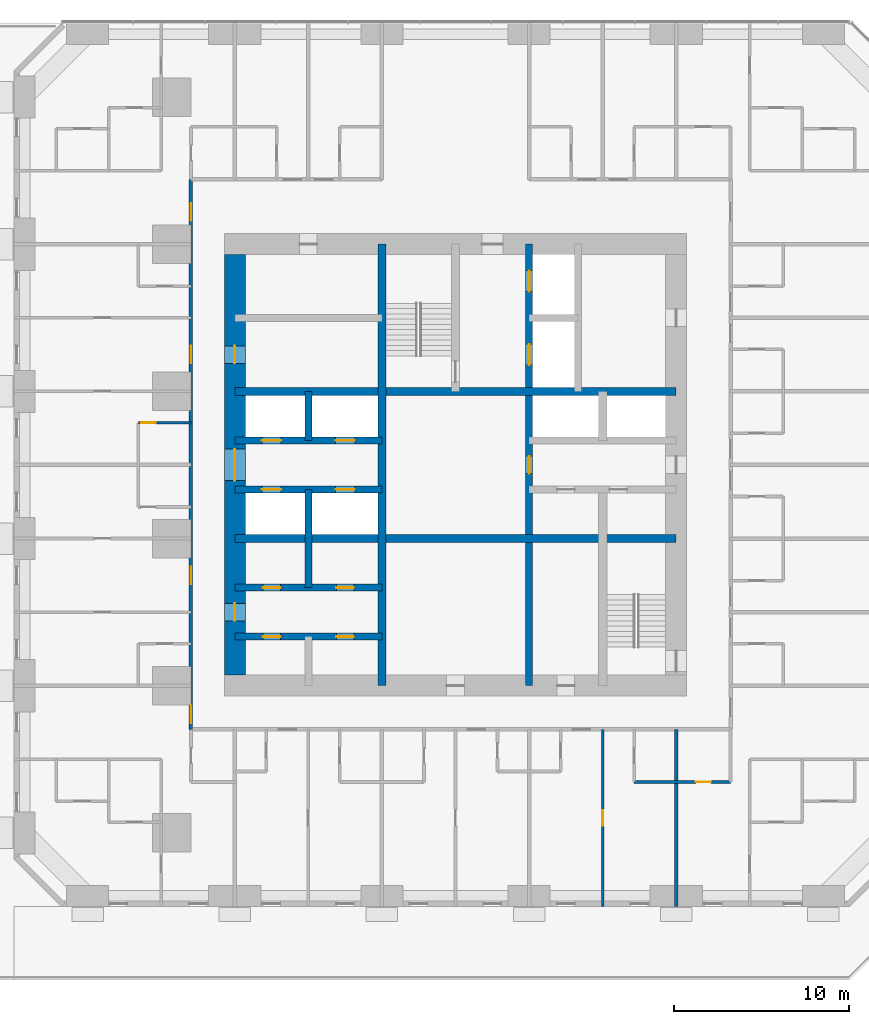
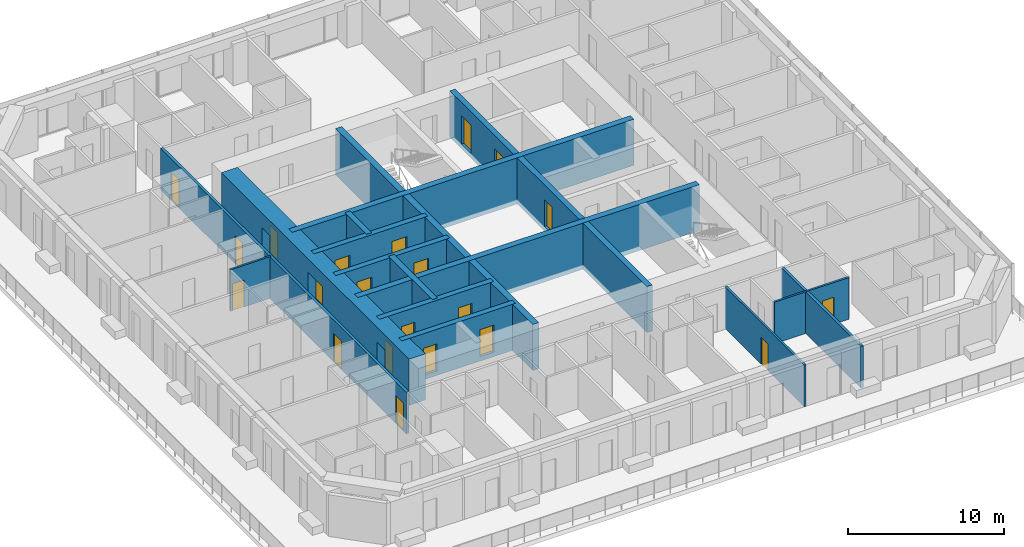
# One storey, part 8 of 14: 21 doors, 16 walls, 21 openings.
"""IFC4 building model written with IfcOpenShell, lengths in metres."""

import ifcopenshell
import ifcopenshell.guid

model = None  # the IFC model being written
_history = None  # IfcOwnerHistory: only IFC2X3 demands one
_inside = {}  # id of a spatial element -> (the spatial element, [elements in it])
_under = {}  # id of a project, library or spatial element -> (it, [spatial elements below it])
_declared = {}  # id of a project -> (the project, [libraries it declares])
_typed = {}  # id of a type object -> (the type object, [elements of that type])
_made_of = {}  # id of a material, layer set ... -> (it, [elements and type objects made of it])


def new_model(schema):
    """Start an empty IFC model of exactly this schema.

    Asked for "IFC4X3", IfcOpenShell would pick the latest addendum, in which some entities
    have other attributes; the version numbers below select the first issue.
    IFC2X3 requires an IfcOwnerHistory on every rooted entity: one is made here for all.
    """
    global model, _history
    if schema == "IFC4X3":
        model = ifcopenshell.file(schema_version=(4, 3, 0, 0))
    else:
        model = ifcopenshell.file(schema=schema)
    _inside.clear()
    _under.clear()
    _declared.clear()
    _typed.clear()
    _made_of.clear()
    _history = None
    if model.schema == "IFC2X3":
        org = make("IfcOrganization", Name="unknown")
        user = make(
            "IfcPersonAndOrganization",
            ThePerson=make("IfcPerson", FamilyName="unknown"),
            TheOrganization=org,
        )
        app = make(
            "IfcApplication",
            ApplicationDeveloper=org,
            Version="unknown",
            ApplicationFullName="unknown",
            ApplicationIdentifier="unknown",
        )
        _history = make(
            "IfcOwnerHistory",
            OwningUser=user,
            OwningApplication=app,
            ChangeAction="ADDED",
            CreationDate=0,
        )
    return model


def make(cls, **values):
    """One entity of the class cls with the attributes given. An attribute that is None is left unset."""
    return model.create_entity(
        cls, **{name: value for name, value in values.items() if value is not None}
    )


def rooted(cls, **values):
    """An entity with a GlobalId (a new one), such as an element, a storey or a relation."""
    return make(cls, GlobalId=ifcopenshell.guid.new(), OwnerHistory=_history, **values)


def si_unit(unit_type, name, prefix=None):
    """IfcSIUnit, for example si_unit("LENGTHUNIT", "METRE", prefix="MILLI")."""
    return make("IfcSIUnit", UnitType=unit_type, Prefix=prefix, Name=name)


def assignment(units):
    """IfcUnitAssignment: the units of a project."""
    return None if units is None else make("IfcUnitAssignment", Units=units)


def point(xyz):
    """IfcCartesianPoint."""
    return None if xyz is None else make("IfcCartesianPoint", Coordinates=xyz)


def direction(xyz):
    """IfcDirection."""
    return None if xyz is None else make("IfcDirection", DirectionRatios=xyz)


def frame(location, z_axis=None, x_axis=None):
    """IfcAxis2Placement3D, a coordinate frame: its origin and axes. An axis left out is left unset."""
    return make(
        "IfcAxis2Placement3D",
        Location=point(location),
        Axis=direction(z_axis),
        RefDirection=direction(x_axis),
    )


def frame_2d(location, x_axis=None):
    """IfcAxis2Placement2D, a coordinate frame in the plane: its origin and x axis."""
    return make(
        "IfcAxis2Placement2D", Location=point(location), RefDirection=direction(x_axis)
    )


def origin():
    """The frame at (0, 0, 0) with its axes left unset."""
    return frame((0.0, 0.0, 0.0))


def place(relative_to, where):
    """IfcLocalPlacement: puts the frame where relative to a parent placement (None: the world)."""
    return make(
        "IfcLocalPlacement", PlacementRelTo=relative_to, RelativePlacement=where
    )


def context(
    kind, dimensions, precision=None, world=None, true_north=None, identifier=None
):
    """IfcGeometricRepresentationContext, for example the 3D "Model" context."""
    return make(
        "IfcGeometricRepresentationContext",
        ContextIdentifier=identifier,
        ContextType=kind,
        CoordinateSpaceDimension=dimensions,
        Precision=precision,
        WorldCoordinateSystem=world,
        TrueNorth=true_north,
    )


def subcontext(parent, identifier, kind, view, scale=None):
    """IfcGeometricRepresentationSubContext, for example "Body" below "Model"."""
    return make(
        "IfcGeometricRepresentationSubContext",
        ContextIdentifier=identifier,
        ContextType=kind,
        ParentContext=parent,
        TargetScale=scale,
        TargetView=view,
    )


def project(units=None, contexts=None):
    """IfcProject with its units and contexts."""
    return rooted(
        "IfcProject",
        Name="project",
        RepresentationContexts=contexts,
        UnitsInContext=assignment(units),
    )


def spatial(cls, under=None, at=None, **own):
    """A site, building, storey or space (cls), placed at a placement, below another one or the project."""
    s = rooted(cls, ObjectPlacement=at, **own)
    if under is not None:
        _under.setdefault(under.id(), (under, []))[1].append(s)
    return s


def profile(cls, at=None, kind="AREA", **sizes):
    """A parametric profile (cls). Its sizes go by their IFC names, for example OverallWidth=200.0."""
    return make(cls, ProfileType=kind, Position=at, **sizes)


def rectangle(**sizes):
    """IfcRectangleProfileDef."""
    return profile("IfcRectangleProfileDef", **sizes)


def extrude(swept, where, along, depth):
    """IfcExtrudedAreaSolid: the profile swept, set in the frame where, extruded along a direction by depth."""
    return make(
        "IfcExtrudedAreaSolid",
        SweptArea=swept,
        Position=where,
        ExtrudedDirection=direction(along),
        Depth=depth,
    )


def shape(context_of_items, identifier, shape_type, items):
    """IfcShapeRepresentation: the items that make up one representation, for example the "Body"."""
    return make(
        "IfcShapeRepresentation",
        ContextOfItems=context_of_items,
        RepresentationIdentifier=identifier,
        RepresentationType=shape_type,
        Items=items,
    )


def material(Name=None, Category=None):
    """IfcMaterial."""
    return make("IfcMaterial", Name=Name, Category=Category)


def layer(
    of_material, thickness, ventilated=None, Name=None, Category=None, Priority=None
):
    """IfcMaterialLayer: one layer of a wall or slab, of a material (None: an air gap)."""
    return make(
        "IfcMaterialLayer",
        Material=of_material,
        LayerThickness=thickness,
        IsVentilated=ventilated,
        Name=Name,
        Category=Category,
        Priority=Priority,
    )


def layer_set(layers, Name=None):
    """IfcMaterialLayerSet."""
    return make("IfcMaterialLayerSet", MaterialLayers=layers, LayerSetName=Name)


def made_of(thing, what):
    """Note that an element or type object is made of a material, layer set ...; save() writes the relation."""
    if what is not None:
        _made_of.setdefault(what.id(), (what, []))[1].append(thing)
    return thing


def type_object(cls, material=None, **own):
    """A type object (cls), such as IfcWallType, which elements share."""
    return made_of(rooted(cls, **own), material)


def element(
    cls,
    number,
    at=None,
    inside=None,
    cuts=None,
    type_object=None,
    material=None,
    context=None,
    identifier="Body",
    shape_type=None,
    held_by="IfcProductDefinitionShape",
    body=None,
    shapes=None,
    **own,
):
    """One element of the class cls, such as IfcWall. Its Tag is "e" and its number.

    at: its placement. inside: the storey or other place that contains it. cuts: it is an
    opening in that element (IfcRelVoidsElement). A single representation is given by context,
    identifier, shape_type and body (its items); several are given by shapes. held_by: the class
    of the entity that holds the representations. save() writes the other relations.
    """
    e = rooted(cls, Tag="e%d" % number, ObjectPlacement=at, **own)
    if body is not None:
        shapes = [shape(context, identifier, shape_type, body)]
    if shapes is not None:
        e.Representation = make(held_by, Representations=shapes)
    if inside is not None:
        _inside.setdefault(inside.id(), (inside, []))[1].append(e)
    if cuts is not None:
        rooted(
            "IfcRelVoidsElement", RelatingBuildingElement=cuts, RelatedOpeningElement=e
        )
    if type_object is not None:
        _typed.setdefault(type_object.id(), (type_object, []))[1].append(e)
    return made_of(e, material)


def fill(opening, filler):
    """IfcRelFillsElement: the door or window that sits in an opening."""
    return rooted(
        "IfcRelFillsElement",
        RelatingOpeningElement=opening,
        RelatedBuildingElement=filler,
    )


def aggregate(whole, parts):
    """IfcRelAggregates: a whole, such as a stair, and the parts it consists of."""
    return rooted("IfcRelAggregates", RelatingObject=whole, RelatedObjects=parts)


def save(model, path):
    """Write the relations noted so far, then the file.

    IfcRelAggregates (storeys below a building ...), IfcRelContainedInSpatialStructure (elements
    in a storey), IfcRelDefinesByType, IfcRelAssociatesMaterial and IfcRelDeclares: one each for
    every whole, place, type object, material and project.
    """
    for whole, parts in _under.values():
        aggregate(whole, parts)
    for where, things in _inside.values():
        rooted(
            "IfcRelContainedInSpatialStructure",
            RelatedElements=things,
            RelatingStructure=where,
        )
    for kind, things in _typed.values():
        rooted("IfcRelDefinesByType", RelatedObjects=things, RelatingType=kind)
    for what, things in _made_of.values():
        rooted("IfcRelAssociatesMaterial", RelatedObjects=things, RelatingMaterial=what)
    for by, libraries in _declared.values():
        rooted("IfcRelDeclares", RelatingContext=by, RelatedDefinitions=libraries)
    model.write(path)


model = new_model("IFC4")

# Units and contexts
model_context = context("Model", 3, precision=1e-05, world=origin(), true_north=direction((0.0, 1.0)))
body_context = subcontext(model_context, "Body", "Model", "MODEL_VIEW")
ifc_project = project(units=[si_unit("LENGTHUNIT", "METRE"), si_unit("AREAUNIT", "SQUARE_METRE"), si_unit("VOLUMEUNIT", "CUBIC_METRE"), si_unit("PLANEANGLEUNIT", "RADIAN"), si_unit("MASSUNIT", "GRAM", prefix="KILO")], contexts=[model_context])

# Site, building, storey
site_placement = place(None, origin())
site = spatial("IfcSite", under=ifc_project, at=site_placement, CompositionType="ELEMENT")
building_placement = place(site_placement, origin())
building = spatial("IfcBuilding", under=site, at=building_placement, Name="Dunama Terrace Hotel", CompositionType="ELEMENT")
storey_placement = place(building_placement, frame((0.0, 0.0, 159.0)))
storey = spatial("IfcBuildingStorey", under=building, at=storey_placement, Name="L40", CompositionType="ELEMENT", Elevation=159.0)

# Wall, opening, door
ifc_material_1 = material(Name="Gypsum board partition", Category="masonry")
ifc_layer_1 = layer(ifc_material_1, 0.14990234375)
ifc_layer_set_1 = layer_set([ifc_layer_1], Name="Bathroom partition 150")
wall_type_1 = type_object("IfcWallType", Name="Bathroom partition 150", PredefinedType="PARTITIONING", material=ifc_layer_set_1)
wall_1_placement = place(storey_placement, frame((39.60009765625, 11.300048828125, 0.0), z_axis=(0.0, 0.0, 1.0), x_axis=(1.0, 0.0, 0.0)))
wall_1 = element("IfcWall", 1, at=wall_1_placement, inside=storey, type_object=wall_type_1, Name="Bathroom partition 150 L40", PredefinedType="PARTITIONING", context=body_context, shape_type="SweptSolid", body=[
    extrude(rectangle(XDim=5.5, YDim=0.14990234375, at=frame_2d((2.75, 0.0))), origin(), (0.0, 0.0, 1.0), 3.25),
])
opening_1_placement = place(wall_1_placement, frame((3.52490234375, 0.0, 0.0)))
opening_1 = element("IfcOpeningElement", 2, at=opening_1_placement, cuts=wall_1, Name="Opening L40-077", PredefinedType="OPENING", context=body_context, shape_type="SweptSolid", body=[
    extrude(rectangle(XDim=0.85009765625, YDim=2.10009765625, at=frame_2d((0.425048828125, 1.050048828125))), frame((0.0, 0.0849609375, 0.0), z_axis=(0.0, -1.0, 0.0), x_axis=(1.0, 0.0, 0.0)), (0.0, 0.0, 1.0), 0.169921875),
])
ifc_material_2 = material(Name="Timber door with steel frame", Category="steel")
door_type_1 = type_object("IfcDoorType", Name="Bathroom door 850", OperationType="SINGLE_SWING_LEFT", PredefinedType="DOOR", material=ifc_material_2)
door_1_placement = place(opening_1_placement, origin())
door_1 = element("IfcDoor", 3, at=door_1_placement, inside=storey, type_object=door_type_1, Name="Door to powder room L40-077, type D2", OperationType="SINGLE_SWING_LEFT", OverallHeight=2.10009765625, OverallWidth=0.85009765625, PredefinedType="DOOR", context=body_context, shape_type="SweptSolid", body=[
    extrude(rectangle(XDim=0.85009765625, YDim=2.10009765625, at=frame_2d((0.425048828125, 1.050048828125))), frame((0.0, 0.02490234375, 0.0), z_axis=(0.0, -1.0, 0.0), x_axis=(1.0, 0.0, 0.0)), (0.0, 0.0, 1.0), 0.050048828125),
])
fill(opening_1, door_1)

wall_2_placement = place(storey_placement, frame((11.300048828125, 31.800048828125, 0.0), z_axis=(0.0, 0.0, 1.0), x_axis=(1.0, 0.0, 0.0)))
wall_2 = element("IfcWall", 4, at=wall_2_placement, inside=storey, type_object=wall_type_1, Name="Bathroom partition 150 L40", PredefinedType="PARTITIONING", context=body_context, shape_type="SweptSolid", body=[
    extrude(rectangle(XDim=3.0, YDim=0.14990234375, at=frame_2d((1.5, 0.0))), origin(), (0.0, 0.0, 1.0), 3.25),
])
opening_2_placement = place(wall_2_placement, frame((0.14990234375, 0.0, 0.0)))
opening_2 = element("IfcOpeningElement", 5, at=opening_2_placement, cuts=wall_2, Name="Opening L40-070", PredefinedType="OPENING", context=body_context, shape_type="SweptSolid", body=[
    extrude(rectangle(XDim=0.85009765625, YDim=2.10009765625, at=frame_2d((0.425048828125, 1.050048828125))), frame((0.0, 0.0849609375, 0.0), z_axis=(0.0, -1.0, 0.0), x_axis=(1.0, 0.0, 0.0)), (0.0, 0.0, 1.0), 0.169921875),
])
door_2_placement = place(opening_2_placement, frame((0.85009765625, 0.0, 0.0), z_axis=(0.0, 0.0, 1.0), x_axis=(-1.0, 0.0, 0.0)))
door_2 = element("IfcDoor", 6, at=door_2_placement, inside=storey, type_object=door_type_1, Name="Door to en-suite bathroom L40-070, type D2", OperationType="SINGLE_SWING_RIGHT", OverallHeight=2.10009765625, OverallWidth=0.85009765625, PredefinedType="DOOR", context=body_context, shape_type="SweptSolid", body=[
    extrude(rectangle(XDim=0.85009765625, YDim=2.10009765625, at=frame_2d((0.425048828125, 1.050048828125))), frame((0.0, 0.025146484375, 0.0), z_axis=(0.0, -1.0, 0.0), x_axis=(1.0, 0.0, 0.0)), (0.0, 0.0, 1.0), 0.050048828125),
])
fill(opening_2, door_2)

# Walls
ifc_material_3 = material(Name="Concrete C50/60", Category="concrete")
ifc_layer_2 = layer(ifc_material_3, 0.39990234375)
ifc_layer_set_2 = layer_set([ifc_layer_2], Name="Core inner wall 400")
wall_type_2 = type_object("IfcWallType", Name="Core inner wall 400", PredefinedType="SHEAR", material=ifc_layer_set_2)
wall_3_placement = place(storey_placement, frame((21.0, 22.39990234375, -0.35009765625), z_axis=(0.0, 0.0, 1.0), x_axis=(0.0, 1.0, 0.0)))
element("IfcWall", 7, at=wall_3_placement, inside=storey, type_object=wall_type_2, Name="Core inner wall 400 L40", PredefinedType="SHEAR", context=body_context, shape_type="SweptSolid", body=[
    extrude(rectangle(XDim=5.60009765625, YDim=0.39990234375, at=frame_2d((2.800048828125, 0.0))), origin(), (0.0, 0.0, 1.0), 3.60009765625),
])
wall_4_placement = place(storey_placement, frame((21.0, 30.800048828125, -0.35009765625), z_axis=(0.0, 0.0, 1.0), x_axis=(0.0, 1.0, 0.0)))
element("IfcWall", 8, at=wall_4_placement, inside=storey, type_object=wall_type_2, Name="Core inner wall 400 L40", PredefinedType="SHEAR", context=body_context, shape_type="SweptSolid", body=[
    extrude(rectangle(XDim=2.800048828125, YDim=0.39990234375, at=frame_2d((1.39990234375, 0.0))), origin(), (0.0, 0.0, 1.0), 3.60009765625),
])

# Wall, openings, doors
wall_5_placement = place(storey_placement, frame((33.60009765625, 16.800048828125, -0.35009765625), z_axis=(0.0, 0.0, 1.0), x_axis=(0.0, 1.0, 0.0)))
wall_5 = element("IfcWall", 9, at=wall_5_placement, inside=storey, type_object=wall_type_2, Name="Core inner wall 400 L40", PredefinedType="SHEAR", context=body_context, shape_type="SweptSolid", body=[
    extrude(rectangle(XDim=25.199951171875, YDim=0.39990234375, at=frame_2d((12.60009765625, 0.0))), origin(), (0.0, 0.0, 1.0), 3.60009765625),
])
opening_3_placement = place(wall_5_placement, frame((22.5, 0.0, 0.35009765625)))
opening_3 = element("IfcOpeningElement", 10, at=opening_3_placement, cuts=wall_5, Name="Opening L40-027", PredefinedType="OPENING", context=body_context, shape_type="SweptSolid", body=[
    extrude(rectangle(XDim=1.199951171875, YDim=2.199951171875, at=frame_2d((0.60009765625, 1.10009765625))), frame((0.0, 0.2099609375, 0.0), z_axis=(0.0, -1.0, 0.0), x_axis=(1.0, 0.0, 0.0)), (0.0, 0.0, 1.0), 0.419921875),
])
opening_4_placement = place(wall_5_placement, frame((18.300048828125, 0.0, 0.35009765625)))
opening_4 = element("IfcOpeningElement", 11, at=opening_4_placement, cuts=wall_5, Name="Opening L40-028", PredefinedType="OPENING", context=body_context, shape_type="SweptSolid", body=[
    extrude(rectangle(XDim=1.199951171875, YDim=2.199951171875, at=frame_2d((0.60009765625, 1.10009765625))), frame((0.0, 0.2099609375, 0.0), z_axis=(0.0, -1.0, 0.0), x_axis=(1.0, 0.0, 0.0)), (0.0, 0.0, 1.0), 0.419921875),
])
opening_5_placement = place(wall_5_placement, frame((12.10009765625, 0.0, 0.35009765625)))
opening_5 = element("IfcOpeningElement", 12, at=opening_5_placement, cuts=wall_5, Name="Opening L40-099", PredefinedType="OPENING", context=body_context, shape_type="SweptSolid", body=[
    extrude(rectangle(XDim=1.0, YDim=2.10009765625, at=frame_2d((0.5, 1.050048828125))), frame((0.0, 0.2099609375, 0.0), z_axis=(0.0, -1.0, 0.0), x_axis=(1.0, 0.0, 0.0)), (0.0, 0.0, 1.0), 0.419921875),
])
ifc_material_4 = material(Name="Stainless steel lift door", Category="steel")
door_type_2 = type_object("IfcDoorType", Name="Firefighting lift landing door 1200", OperationType="DOUBLE_DOOR_SLIDING", PredefinedType="DOOR", material=ifc_material_4)
door_3_placement = place(opening_3_placement, origin())
door_3 = element("IfcDoor", 13, at=door_3_placement, inside=storey, type_object=door_type_2, Name="Landing door FL1 L40-027, type LD2", OperationType="DOUBLE_DOOR_SLIDING", OverallHeight=2.199951171875, OverallWidth=1.199951171875, PredefinedType="DOOR", context=body_context, shape_type="SweptSolid", body=[
    extrude(rectangle(XDim=1.199951171875, YDim=2.199951171875, at=frame_2d((0.60009765625, 1.10009765625))), frame((0.0, 0.02490234375, 0.0), z_axis=(0.0, -1.0, 0.0), x_axis=(1.0, 0.0, 0.0)), (0.0, 0.0, 1.0), 0.050048828125),
])
fill(opening_3, door_3)
door_4_placement = place(opening_4_placement, origin())
door_4 = element("IfcDoor", 14, at=door_4_placement, inside=storey, type_object=door_type_2, Name="Landing door FL2 L40-028, type LD2", OperationType="DOUBLE_DOOR_SLIDING", OverallHeight=2.199951171875, OverallWidth=1.199951171875, PredefinedType="DOOR", context=body_context, shape_type="SweptSolid", body=[
    extrude(rectangle(XDim=1.199951171875, YDim=2.199951171875, at=frame_2d((0.60009765625, 1.10009765625))), frame((0.0, 0.02490234375, 0.0), z_axis=(0.0, -1.0, 0.0), x_axis=(1.0, 0.0, 0.0)), (0.0, 0.0, 1.0), 0.050048828125),
])
fill(opening_4, door_4)
ifc_material_5 = material(Name="Timber door with steel frame", Category="steel")
door_type_3 = type_object("IfcDoorType", Name="Service door 1000", OperationType="SINGLE_SWING_LEFT", PredefinedType="DOOR", material=ifc_material_5)
door_5_placement = place(opening_5_placement, origin())
door_5 = element("IfcDoor", 15, at=door_5_placement, inside=storey, type_object=door_type_3, Name="Door to linen and housekeeping room L40-099, type D7", OperationType="SINGLE_SWING_LEFT", OverallHeight=2.10009765625, OverallWidth=1.0, PredefinedType="DOOR", context=body_context, shape_type="SweptSolid", body=[
    extrude(rectangle(XDim=1.0, YDim=2.10009765625, at=frame_2d((0.5, 1.050048828125))), frame((0.0, 0.02490234375, 0.0), z_axis=(0.0, -1.0, 0.0), x_axis=(1.0, 0.0, 0.0)), (0.0, 0.0, 1.0), 0.050048828125),
])
fill(opening_5, door_5)

wall_6_placement = place(storey_placement, frame((16.800048828125, 19.60009765625, -0.35009765625), z_axis=(0.0, 0.0, 1.0), x_axis=(1.0, 0.0, 0.0)))
wall_6 = element("IfcWall", 16, at=wall_6_placement, inside=storey, type_object=wall_type_2, Name="Core inner wall 400 L40", PredefinedType="SHEAR", context=body_context, shape_type="SweptSolid", body=[
    extrude(rectangle(XDim=8.39990234375, YDim=0.39990234375, at=frame_2d((4.199951171875, 0.0))), origin(), (0.0, 0.0, 1.0), 3.60009765625),
])
opening_6_placement = place(wall_6_placement, frame((1.60009765625, 0.0, 0.35009765625)))
opening_6 = element("IfcOpeningElement", 17, at=opening_6_placement, cuts=wall_6, Name="Opening L40-092", PredefinedType="OPENING", context=body_context, shape_type="SweptSolid", body=[
    extrude(rectangle(XDim=1.0, YDim=2.10009765625, at=frame_2d((0.5, 1.050048828125))), frame((0.0, 0.2099609375, 0.0), z_axis=(0.0, -1.0, 0.0), x_axis=(1.0, 0.0, 0.0)), (0.0, 0.0, 1.0), 0.419921875),
])
opening_7_placement = place(wall_6_placement, frame((5.800048828125, 0.0, 0.35009765625)))
opening_7 = element("IfcOpeningElement", 18, at=opening_7_placement, cuts=wall_6, Name="Opening L40-093", PredefinedType="OPENING", context=body_context, shape_type="SweptSolid", body=[
    extrude(rectangle(XDim=1.0, YDim=2.10009765625, at=frame_2d((0.5, 1.050048828125))), frame((0.0, 0.2099609375, 0.0), z_axis=(0.0, -1.0, 0.0), x_axis=(1.0, 0.0, 0.0)), (0.0, 0.0, 1.0), 0.419921875),
])
door_6_placement = place(opening_6_placement, frame((1.0, 0.0, 0.0), z_axis=(0.0, 0.0, 1.0), x_axis=(-1.0, 0.0, 0.0)))
door_6 = element("IfcDoor", 19, at=door_6_placement, inside=storey, type_object=door_type_3, Name="Door to service riser L40-092, type D7", OperationType="SINGLE_SWING_RIGHT", OverallHeight=2.10009765625, OverallWidth=1.0, PredefinedType="DOOR", context=body_context, shape_type="SweptSolid", body=[
    extrude(rectangle(XDim=1.0, YDim=2.10009765625, at=frame_2d((0.5, 1.050048828125))), frame((0.0, 0.025146484375, 0.0), z_axis=(0.0, -1.0, 0.0), x_axis=(1.0, 0.0, 0.0)), (0.0, 0.0, 1.0), 0.050048828125),
])
fill(opening_6, door_6)
door_7_placement = place(opening_7_placement, frame((1.0, 0.0, 0.0), z_axis=(0.0, 0.0, 1.0), x_axis=(-1.0, 0.0, 0.0)))
door_7 = element("IfcDoor", 20, at=door_7_placement, inside=storey, type_object=door_type_3, Name="Door to staff accessible wc L40-093, type D7", OperationType="SINGLE_SWING_RIGHT", OverallHeight=2.10009765625, OverallWidth=1.0, PredefinedType="DOOR", context=body_context, shape_type="SweptSolid", body=[
    extrude(rectangle(XDim=1.0, YDim=2.10009765625, at=frame_2d((0.5, 1.050048828125))), frame((0.0, 0.025146484375, 0.0), z_axis=(0.0, -1.0, 0.0), x_axis=(1.0, 0.0, 0.0)), (0.0, 0.0, 1.0), 0.050048828125),
])
fill(opening_7, door_7)

wall_7_placement = place(storey_placement, frame((16.800048828125, 22.39990234375, -0.35009765625), z_axis=(0.0, 0.0, 1.0), x_axis=(1.0, 0.0, 0.0)))
wall_7 = element("IfcWall", 21, at=wall_7_placement, inside=storey, type_object=wall_type_2, Name="Core inner wall 400 L40", PredefinedType="SHEAR", context=body_context, shape_type="SweptSolid", body=[
    extrude(rectangle(XDim=8.39990234375, YDim=0.39990234375, at=frame_2d((4.199951171875, 0.0))), origin(), (0.0, 0.0, 1.0), 3.60009765625),
])
opening_8_placement = place(wall_7_placement, frame((1.60009765625, 0.0, 0.35009765625)))
opening_8 = element("IfcOpeningElement", 22, at=opening_8_placement, cuts=wall_7, Name="Opening L40-094", PredefinedType="OPENING", context=body_context, shape_type="SweptSolid", body=[
    extrude(rectangle(XDim=1.0, YDim=2.10009765625, at=frame_2d((0.5, 1.050048828125))), frame((0.0, 0.2099609375, 0.0), z_axis=(0.0, -1.0, 0.0), x_axis=(1.0, 0.0, 0.0)), (0.0, 0.0, 1.0), 0.419921875),
])
opening_9_placement = place(wall_7_placement, frame((5.800048828125, 0.0, 0.35009765625)))
opening_9 = element("IfcOpeningElement", 23, at=opening_9_placement, cuts=wall_7, Name="Opening L40-095", PredefinedType="OPENING", context=body_context, shape_type="SweptSolid", body=[
    extrude(rectangle(XDim=1.0, YDim=2.10009765625, at=frame_2d((0.5, 1.050048828125))), frame((0.0, 0.2099609375, 0.0), z_axis=(0.0, -1.0, 0.0), x_axis=(1.0, 0.0, 0.0)), (0.0, 0.0, 1.0), 0.419921875),
])
door_8_placement = place(opening_8_placement, origin())
door_8 = element("IfcDoor", 24, at=door_8_placement, inside=storey, type_object=door_type_3, Name="Door to staff break room L40-094, type D7", OperationType="SINGLE_SWING_LEFT", OverallHeight=2.10009765625, OverallWidth=1.0, PredefinedType="DOOR", context=body_context, shape_type="SweptSolid", body=[
    extrude(rectangle(XDim=1.0, YDim=2.10009765625, at=frame_2d((0.5, 1.050048828125))), frame((0.0, 0.02490234375, 0.0), z_axis=(0.0, -1.0, 0.0), x_axis=(1.0, 0.0, 0.0)), (0.0, 0.0, 1.0), 0.050048828125),
])
fill(opening_8, door_8)
door_9_placement = place(opening_9_placement, origin())
door_9 = element("IfcDoor", 25, at=door_9_placement, inside=storey, type_object=door_type_3, Name="Door to it room L40-095, type D7", OperationType="SINGLE_SWING_RIGHT", OverallHeight=2.10009765625, OverallWidth=1.0, PredefinedType="DOOR", context=body_context, shape_type="SweptSolid", body=[
    extrude(rectangle(XDim=1.0, YDim=2.10009765625, at=frame_2d((0.5, 1.050048828125))), frame((0.0, 0.02490234375, 0.0), z_axis=(0.0, -1.0, 0.0), x_axis=(1.0, 0.0, 0.0)), (0.0, 0.0, 1.0), 0.050048828125),
])
fill(opening_9, door_9)

wall_8_placement = place(storey_placement, frame((16.800048828125, 28.0, -0.35009765625), z_axis=(0.0, 0.0, 1.0), x_axis=(1.0, 0.0, 0.0)))
wall_8 = element("IfcWall", 26, at=wall_8_placement, inside=storey, type_object=wall_type_2, Name="Core inner wall 400 L40", PredefinedType="SHEAR", context=body_context, shape_type="SweptSolid", body=[
    extrude(rectangle(XDim=8.39990234375, YDim=0.39990234375, at=frame_2d((4.199951171875, 0.0))), origin(), (0.0, 0.0, 1.0), 3.60009765625),
])
opening_10_placement = place(wall_8_placement, frame((1.550048828125, 0.0, 0.35009765625)))
opening_10 = element("IfcOpeningElement", 27, at=opening_10_placement, cuts=wall_8, Name="Opening L40-023", PredefinedType="OPENING", context=body_context, shape_type="SweptSolid", body=[
    extrude(rectangle(XDim=1.10009765625, YDim=2.199951171875, at=frame_2d((0.550048828125, 1.10009765625))), frame((0.0, 0.2099609375, 0.0), z_axis=(0.0, -1.0, 0.0), x_axis=(1.0, 0.0, 0.0)), (0.0, 0.0, 1.0), 0.419921875),
])
opening_11_placement = place(wall_8_placement, frame((5.75, 0.0, 0.35009765625)))
opening_11 = element("IfcOpeningElement", 28, at=opening_11_placement, cuts=wall_8, Name="Opening L40-024", PredefinedType="OPENING", context=body_context, shape_type="SweptSolid", body=[
    extrude(rectangle(XDim=1.10009765625, YDim=2.199951171875, at=frame_2d((0.550048828125, 1.10009765625))), frame((0.0, 0.2099609375, 0.0), z_axis=(0.0, -1.0, 0.0), x_axis=(1.0, 0.0, 0.0)), (0.0, 0.0, 1.0), 0.419921875),
])
ifc_material_6 = material(Name="Stainless steel lift door", Category="steel")
door_type_4 = type_object("IfcDoorType", Name="Lift landing door 1100", OperationType="DOUBLE_DOOR_SLIDING", PredefinedType="DOOR", material=ifc_material_6)
door_10_placement = place(opening_10_placement, origin())
door_10 = element("IfcDoor", 29, at=door_10_placement, inside=storey, type_object=door_type_4, Name="Landing door PC1 L40-023, type LD1", OperationType="DOUBLE_DOOR_SLIDING", OverallHeight=2.199951171875, OverallWidth=1.10009765625, PredefinedType="DOOR", context=body_context, shape_type="SweptSolid", body=[
    extrude(rectangle(XDim=1.10009765625, YDim=2.199951171875, at=frame_2d((0.550048828125, 1.10009765625))), frame((0.0, 0.02490234375, 0.0), z_axis=(0.0, -1.0, 0.0), x_axis=(1.0, 0.0, 0.0)), (0.0, 0.0, 1.0), 0.050048828125),
])
fill(opening_10, door_10)
door_11_placement = place(opening_11_placement, origin())
door_11 = element("IfcDoor", 30, at=door_11_placement, inside=storey, type_object=door_type_4, Name="Landing door PC2 L40-024, type LD1", OperationType="DOUBLE_DOOR_SLIDING", OverallHeight=2.199951171875, OverallWidth=1.10009765625, PredefinedType="DOOR", context=body_context, shape_type="SweptSolid", body=[
    extrude(rectangle(XDim=1.10009765625, YDim=2.199951171875, at=frame_2d((0.550048828125, 1.10009765625))), frame((0.0, 0.02490234375, 0.0), z_axis=(0.0, -1.0, 0.0), x_axis=(1.0, 0.0, 0.0)), (0.0, 0.0, 1.0), 0.050048828125),
])
fill(opening_11, door_11)

wall_9_placement = place(storey_placement, frame((16.800048828125, 30.800048828125, -0.35009765625), z_axis=(0.0, 0.0, 1.0), x_axis=(1.0, 0.0, 0.0)))
wall_9 = element("IfcWall", 31, at=wall_9_placement, inside=storey, type_object=wall_type_2, Name="Core inner wall 400 L40", PredefinedType="SHEAR", context=body_context, shape_type="SweptSolid", body=[
    extrude(rectangle(XDim=8.39990234375, YDim=0.39990234375, at=frame_2d((4.199951171875, 0.0))), origin(), (0.0, 0.0, 1.0), 3.60009765625),
])
opening_12_placement = place(wall_9_placement, frame((1.550048828125, 0.0, 0.35009765625)))
opening_12 = element("IfcOpeningElement", 32, at=opening_12_placement, cuts=wall_9, Name="Opening L40-025", PredefinedType="OPENING", context=body_context, shape_type="SweptSolid", body=[
    extrude(rectangle(XDim=1.10009765625, YDim=2.199951171875, at=frame_2d((0.550048828125, 1.10009765625))), frame((0.0, 0.2099609375, 0.0), z_axis=(0.0, -1.0, 0.0), x_axis=(1.0, 0.0, 0.0)), (0.0, 0.0, 1.0), 0.419921875),
])
opening_13_placement = place(wall_9_placement, frame((5.75, 0.0, 0.35009765625)))
opening_13 = element("IfcOpeningElement", 33, at=opening_13_placement, cuts=wall_9, Name="Opening L40-026", PredefinedType="OPENING", context=body_context, shape_type="SweptSolid", body=[
    extrude(rectangle(XDim=1.10009765625, YDim=2.199951171875, at=frame_2d((0.550048828125, 1.10009765625))), frame((0.0, 0.2099609375, 0.0), z_axis=(0.0, -1.0, 0.0), x_axis=(1.0, 0.0, 0.0)), (0.0, 0.0, 1.0), 0.419921875),
])
door_12_placement = place(opening_12_placement, origin())
door_12 = element("IfcDoor", 34, at=door_12_placement, inside=storey, type_object=door_type_4, Name="Landing door PC3 L40-025, type LD1", OperationType="DOUBLE_DOOR_SLIDING", OverallHeight=2.199951171875, OverallWidth=1.10009765625, PredefinedType="DOOR", context=body_context, shape_type="SweptSolid", body=[
    extrude(rectangle(XDim=1.10009765625, YDim=2.199951171875, at=frame_2d((0.550048828125, 1.10009765625))), frame((0.0, 0.02490234375, 0.0), z_axis=(0.0, -1.0, 0.0), x_axis=(1.0, 0.0, 0.0)), (0.0, 0.0, 1.0), 0.050048828125),
])
fill(opening_12, door_12)
door_13_placement = place(opening_13_placement, origin())
door_13 = element("IfcDoor", 35, at=door_13_placement, inside=storey, type_object=door_type_4, Name="Landing door PC4 L40-026, type LD1", OperationType="DOUBLE_DOOR_SLIDING", OverallHeight=2.199951171875, OverallWidth=1.10009765625, PredefinedType="DOOR", context=body_context, shape_type="SweptSolid", body=[
    extrude(rectangle(XDim=1.10009765625, YDim=2.199951171875, at=frame_2d((0.550048828125, 1.10009765625))), frame((0.0, 0.02490234375, 0.0), z_axis=(0.0, -1.0, 0.0), x_axis=(1.0, 0.0, 0.0)), (0.0, 0.0, 1.0), 0.050048828125),
])
fill(opening_13, door_13)

# Walls
ifc_material_7 = material(Name="Concrete C50/60", Category="concrete")
ifc_layer_3 = layer(ifc_material_7, 0.449951171875)
ifc_layer_set_3 = layer_set([ifc_layer_3], Name="Core inner wall 450")
wall_type_3 = type_object("IfcWallType", Name="Core inner wall 450", PredefinedType="SHEAR", material=ifc_layer_set_3)
for number, where, z_axis, x_axis, name in (
    (36, (25.199951171875, 16.800048828125, -0.35009765625), (0.0, 0.0, 1.0), (0.0, 1.0, 0.0), "Core inner wall 450 L40"),
    (37, (16.800048828125, 25.199951171875, -0.35009765625), (0.0, 0.0, 1.0), (1.0, 0.0, 0.0), "Core inner wall 450 L40"),
    (38, (16.800048828125, 33.60009765625, -0.35009765625), (0.0, 0.0, 1.0), (1.0, 0.0, 0.0), "Core inner wall 450 L40"),
):
    element("IfcWall", number, at=place(storey_placement, frame(where, z_axis=z_axis, x_axis=x_axis)), inside=storey, type_object=wall_type_3, Name=name, PredefinedType="SHEAR", context=body_context, shape_type="SweptSolid", body=[
        extrude(rectangle(XDim=25.199951171875, YDim=0.449951171875, at=frame_2d((12.60009765625, 0.0))), origin(), (0.0, 0.0, 1.0), 3.60009765625),
    ])

# Wall, openings, doors
ifc_material_8 = material(Name="Concrete C60/75", Category="concrete")
ifc_layer_4 = layer(ifc_material_8, 1.199951171875)
ifc_layer_set_4 = layer_set([ifc_layer_4], Name="Core wall 1200")
wall_type_4 = type_object("IfcWallType", Name="Core wall 1200", PredefinedType="SHEAR", material=ifc_layer_set_4)
wall_10_placement = place(storey_placement, frame((16.800048828125, 41.39990234375, -0.35009765625), z_axis=(0.0, 0.0, 1.0), x_axis=(0.0, -1.0, 0.0)))
wall_10 = element("IfcWall", 39, at=wall_10_placement, inside=storey, type_object=wall_type_4, Name="Core wall west L40", PredefinedType="SHEAR", context=body_context, shape_type="SweptSolid", body=[
    extrude(rectangle(XDim=24.0, YDim=1.199951171875, at=frame_2d((12.0, 0.0))), origin(), (0.0, 0.0, 1.0), 3.60009765625),
])
opening_14_placement = place(wall_10_placement, frame((11.10009765625, 0.0, 0.35009765625)))
opening_14 = element("IfcOpeningElement", 40, at=opening_14_placement, cuts=wall_10, Name="Opening L40-091", PredefinedType="OPENING", context=body_context, shape_type="SweptSolid", body=[
    extrude(rectangle(XDim=1.800048828125, YDim=2.199951171875, at=frame_2d((0.89990234375, 1.10009765625))), frame((0.0, 0.60986328125, 0.0), z_axis=(0.0, -1.0, 0.0), x_axis=(1.0, 0.0, 0.0)), (0.0, 0.0, 1.0), 1.219970703125),
])
opening_15_placement = place(wall_10_placement, frame((19.89990234375, 0.0, 0.35009765625)))
opening_15 = element("IfcOpeningElement", 41, at=opening_15_placement, cuts=wall_10, Name="Opening L40-096", PredefinedType="OPENING", context=body_context, shape_type="SweptSolid", body=[
    extrude(rectangle(XDim=1.0, YDim=2.10009765625, at=frame_2d((0.5, 1.050048828125))), frame((0.0, 0.60986328125, 0.0), z_axis=(0.0, -1.0, 0.0), x_axis=(1.0, 0.0, 0.0)), (0.0, 0.0, 1.0), 1.219970703125),
])
opening_16_placement = place(wall_10_placement, frame((5.199951171875, 0.0, 0.35009765625)))
opening_16 = element("IfcOpeningElement", 42, at=opening_16_placement, cuts=wall_10, Name="Opening L40-097", PredefinedType="OPENING", context=body_context, shape_type="SweptSolid", body=[
    extrude(rectangle(XDim=1.0, YDim=2.10009765625, at=frame_2d((0.5, 1.050048828125))), frame((0.0, 0.60986328125, 0.0), z_axis=(0.0, -1.0, 0.0), x_axis=(1.0, 0.0, 0.0)), (0.0, 0.0, 1.0), 1.219970703125),
])
ifc_material_9 = material(Name="Timber door with steel frame", Category="steel")
door_type_5 = type_object("IfcDoorType", Name="Lift lobby double door 1800", OperationType="DOUBLE_DOOR_DOUBLE_SWING", PredefinedType="DOOR", material=ifc_material_9)
door_14_placement = place(opening_14_placement, origin())
door_14 = element("IfcDoor", 43, at=door_14_placement, inside=storey, type_object=door_type_5, Name="Door to lift lobby L40-091, type D3", OperationType="DOUBLE_DOOR_DOUBLE_SWING", OverallHeight=2.199951171875, OverallWidth=1.800048828125, PredefinedType="DOOR", context=body_context, shape_type="SweptSolid", body=[
    extrude(rectangle(XDim=1.800048828125, YDim=2.199951171875, at=frame_2d((0.89990234375, 1.10009765625))), frame((0.0, 0.02490234375, 0.0), z_axis=(0.0, -1.0, 0.0), x_axis=(1.0, 0.0, 0.0)), (0.0, 0.0, 1.0), 0.050048828125),
])
fill(opening_14, door_14)
door_15_placement = place(opening_15_placement, origin())
door_15 = element("IfcDoor", 44, at=door_15_placement, inside=storey, type_object=door_type_3, Name="Door to back-of-house lobby L40-096, type D7", OperationType="SINGLE_SWING_LEFT", OverallHeight=2.10009765625, OverallWidth=1.0, PredefinedType="DOOR", context=body_context, shape_type="SweptSolid", body=[
    extrude(rectangle(XDim=1.0, YDim=2.10009765625, at=frame_2d((0.5, 1.050048828125))), frame((0.0, 0.02490234375, 0.0), z_axis=(0.0, -1.0, 0.0), x_axis=(1.0, 0.0, 0.0)), (0.0, 0.0, 1.0), 0.050048828125),
])
fill(opening_15, door_15)
door_16_placement = place(opening_16_placement, origin())
door_16 = element("IfcDoor", 45, at=door_16_placement, inside=storey, type_object=door_type_3, Name="Door to electrical room L40-097, type D7", OperationType="SINGLE_SWING_RIGHT", OverallHeight=2.10009765625, OverallWidth=1.0, PredefinedType="DOOR", context=body_context, shape_type="SweptSolid", body=[
    extrude(rectangle(XDim=1.0, YDim=2.10009765625, at=frame_2d((0.5, 1.050048828125))), frame((0.0, 0.02490234375, 0.0), z_axis=(0.0, -1.0, 0.0), x_axis=(1.0, 0.0, 0.0)), (0.0, 0.0, 1.0), 0.050048828125),
])
fill(opening_16, door_16)

ifc_material_10 = material(Name="Concrete blockwork", Category="masonry")
ifc_layer_5 = layer(ifc_material_10, 0.199951171875)
ifc_layer_set_5 = layer_set([ifc_layer_5], Name="Corridor partition 200")
wall_type_5 = type_object("IfcWallType", Name="Corridor partition 200", PredefinedType="PARTITIONING", material=ifc_layer_set_5)
wall_11_placement = place(storey_placement, frame((14.300048828125, 14.300048828125, 0.0), z_axis=(0.0, 0.0, 1.0), x_axis=(0.0, 1.0, 0.0)))
wall_11 = element("IfcWall", 46, at=wall_11_placement, inside=storey, type_object=wall_type_5, Name="Corridor partition 200 L40", PredefinedType="PARTITIONING", context=body_context, shape_type="SweptSolid", body=[
    extrude(rectangle(XDim=31.39990234375, YDim=0.199951171875, at=frame_2d((15.699951171875, 0.0))), origin(), (0.0, 0.0, 1.0), 3.25),
])
opening_17_placement = place(wall_11_placement, frame((8.300048828125, 0.0, 0.0)))
opening_17 = element("IfcOpeningElement", 47, at=opening_17_placement, cuts=wall_11, Name="Opening L40-061", PredefinedType="OPENING", context=body_context, shape_type="SweptSolid", body=[
    extrude(rectangle(XDim=1.0, YDim=2.199951171875, at=frame_2d((0.5, 1.10009765625))), frame((0.0, 0.10986328125, 0.0), z_axis=(0.0, -1.0, 0.0), x_axis=(1.0, 0.0, 0.0)), (0.0, 0.0, 1.0), 0.219970703125),
])
opening_18_placement = place(wall_11_placement, frame((20.89990234375, 0.0, 0.0)))
opening_18 = element("IfcOpeningElement", 48, at=opening_18_placement, cuts=wall_11, Name="Opening L40-066", PredefinedType="OPENING", context=body_context, shape_type="SweptSolid", body=[
    extrude(rectangle(XDim=1.0, YDim=2.199951171875, at=frame_2d((0.5, 1.10009765625))), frame((0.0, 0.10986328125, 0.0), z_axis=(0.0, -1.0, 0.0), x_axis=(1.0, 0.0, 0.0)), (0.0, 0.0, 1.0), 0.219970703125),
])
opening_19_placement = place(wall_11_placement, frame((0.35009765625, 0.0, 0.0)))
opening_19 = element("IfcOpeningElement", 49, at=opening_19_placement, cuts=wall_11, Name="Opening L40-071", PredefinedType="OPENING", context=body_context, shape_type="SweptSolid", body=[
    extrude(rectangle(XDim=1.0, YDim=2.199951171875, at=frame_2d((0.5, 1.10009765625))), frame((0.0, 0.10986328125, 0.0), z_axis=(0.0, -1.0, 0.0), x_axis=(1.0, 0.0, 0.0)), (0.0, 0.0, 1.0), 0.219970703125),
])
opening_20_placement = place(wall_11_placement, frame((29.050048828125, 0.0, 0.0)))
opening_20 = element("IfcOpeningElement", 50, at=opening_20_placement, cuts=wall_11, Name="Opening L40-086", PredefinedType="OPENING", context=body_context, shape_type="SweptSolid", body=[
    extrude(rectangle(XDim=1.0, YDim=2.199951171875, at=frame_2d((0.5, 1.10009765625))), frame((0.0, 0.10986328125, 0.0), z_axis=(0.0, -1.0, 0.0), x_axis=(1.0, 0.0, 0.0)), (0.0, 0.0, 1.0), 0.219970703125),
])
ifc_material_11 = material(Name="Timber door with steel frame", Category="steel")
door_type_6 = type_object("IfcDoorType", Name="Guest room door 1000", OperationType="SINGLE_SWING_LEFT", PredefinedType="DOOR", material=ifc_material_11)
door_17_placement = place(opening_17_placement, origin())
door_17 = element("IfcDoor", 51, at=door_17_placement, inside=storey, type_object=door_type_6, Name="Door to family club suite living room L40-061, type D1", OperationType="SINGLE_SWING_RIGHT", OverallHeight=2.199951171875, OverallWidth=1.0, PredefinedType="DOOR", context=body_context, shape_type="SweptSolid", body=[
    extrude(rectangle(XDim=1.0, YDim=2.199951171875, at=frame_2d((0.5, 1.10009765625))), frame((0.0, 0.02490234375, 0.0), z_axis=(0.0, -1.0, 0.0), x_axis=(1.0, 0.0, 0.0)), (0.0, 0.0, 1.0), 0.050048828125),
])
fill(opening_17, door_17)
door_18_placement = place(opening_18_placement, origin())
door_18 = element("IfcDoor", 52, at=door_18_placement, inside=storey, type_object=door_type_6, Name="Door to family club suite living room L40-066, type D1", OperationType="SINGLE_SWING_LEFT", OverallHeight=2.199951171875, OverallWidth=1.0, PredefinedType="DOOR", context=body_context, shape_type="SweptSolid", body=[
    extrude(rectangle(XDim=1.0, YDim=2.199951171875, at=frame_2d((0.5, 1.10009765625))), frame((0.0, 0.02490234375, 0.0), z_axis=(0.0, -1.0, 0.0), x_axis=(1.0, 0.0, 0.0)), (0.0, 0.0, 1.0), 0.050048828125),
])
fill(opening_18, door_18)
door_19_placement = place(opening_19_placement, origin())
door_19 = element("IfcDoor", 53, at=door_19_placement, inside=storey, type_object=door_type_6, Name="Door to corner suite living room L40-071, type D1", OperationType="SINGLE_SWING_RIGHT", OverallHeight=2.199951171875, OverallWidth=1.0, PredefinedType="DOOR", context=body_context, shape_type="SweptSolid", body=[
    extrude(rectangle(XDim=1.0, YDim=2.199951171875, at=frame_2d((0.5, 1.10009765625))), frame((0.0, 0.02490234375, 0.0), z_axis=(0.0, -1.0, 0.0), x_axis=(1.0, 0.0, 0.0)), (0.0, 0.0, 1.0), 0.050048828125),
])
fill(opening_19, door_19)
door_20_placement = place(opening_20_placement, origin())
door_20 = element("IfcDoor", 54, at=door_20_placement, inside=storey, type_object=door_type_6, Name="Door to corner suite living room L40-086, type D1", OperationType="SINGLE_SWING_LEFT", OverallHeight=2.199951171875, OverallWidth=1.0, PredefinedType="DOOR", context=body_context, shape_type="SweptSolid", body=[
    extrude(rectangle(XDim=1.0, YDim=2.199951171875, at=frame_2d((0.5, 1.10009765625))), frame((0.0, 0.02490234375, 0.0), z_axis=(0.0, -1.0, 0.0), x_axis=(1.0, 0.0, 0.0)), (0.0, 0.0, 1.0), 0.050048828125),
])
fill(opening_20, door_20)

# Wall
ifc_material_12 = material(Name="Concrete blockwork", Category="masonry")
ifc_layer_6 = layer(ifc_material_12, 0.199951171875)
ifc_layer_set_6 = layer_set([ifc_layer_6], Name="Party wall 200")
wall_type_6 = type_object("IfcWallType", Name="Party wall 200", PredefinedType="PARTITIONING", material=ifc_layer_set_6)
wall_12_placement = place(storey_placement, frame((42.0, 4.199951171875, 0.0), z_axis=(0.0, 0.0, 1.0), x_axis=(0.0, 1.0, 0.0)))
element("IfcWall", 55, at=wall_12_placement, inside=storey, type_object=wall_type_6, Name="Party wall 200 L40", PredefinedType="PARTITIONING", context=body_context, shape_type="SweptSolid", body=[
    extrude(rectangle(XDim=10.10009765625, YDim=0.199951171875, at=frame_2d((5.050048828125, 0.0))), origin(), (0.0, 0.0, 1.0), 3.25),
])

# Wall, opening, door
ifc_material_13 = material(Name="Gypsum board partition", Category="masonry")
ifc_layer_7 = layer(ifc_material_13, 0.14990234375)
ifc_layer_set_7 = layer_set([ifc_layer_7], Name="Room partition 150")
wall_type_7 = type_object("IfcWallType", Name="Room partition 150", PredefinedType="PARTITIONING", material=ifc_layer_set_7)
wall_13_placement = place(storey_placement, frame((37.800048828125, 4.199951171875, 0.0), z_axis=(0.0, 0.0, 1.0), x_axis=(0.0, 1.0, 0.0)))
wall_13 = element("IfcWall", 56, at=wall_13_placement, inside=storey, type_object=wall_type_7, Name="Room partition 150 L40", PredefinedType="PARTITIONING", context=body_context, shape_type="SweptSolid", body=[
    extrude(rectangle(XDim=10.10009765625, YDim=0.14990234375, at=frame_2d((5.050048828125, 0.0))), origin(), (0.0, 0.0, 1.0), 3.25),
])
opening_21_placement = place(wall_13_placement, frame((4.60009765625, 0.0, 0.0)))
opening_21 = element("IfcOpeningElement", 57, at=opening_21_placement, cuts=wall_13, Name="Opening L40-039", PredefinedType="OPENING", context=body_context, shape_type="SweptSolid", body=[
    extrude(rectangle(XDim=0.89990234375, YDim=2.10009765625, at=frame_2d((0.449951171875, 1.050048828125))), frame((0.0, 0.0849609375, 0.0), z_axis=(0.0, -1.0, 0.0), x_axis=(1.0, 0.0, 0.0)), (0.0, 0.0, 1.0), 0.169921875),
])
ifc_material_14 = material(Name="Timber door with steel frame", Category="steel")
door_type_7 = type_object("IfcDoorType", Name="Suite internal door 900", OperationType="SINGLE_SWING_LEFT", PredefinedType="DOOR", material=ifc_material_14)
door_21_placement = place(opening_21_placement, frame((0.89990234375, 0.0, 0.0), z_axis=(0.0, 0.0, 1.0), x_axis=(-1.0, 0.0, 0.0)))
door_21 = element("IfcDoor", 58, at=door_21_placement, inside=storey, type_object=door_type_7, Name="Door to executive club suite bedroom L40-039, type D16", OperationType="SINGLE_SWING_LEFT", OverallHeight=2.10009765625, OverallWidth=0.89990234375, PredefinedType="DOOR", context=body_context, shape_type="SweptSolid", body=[
    extrude(rectangle(XDim=0.89990234375, YDim=2.10009765625, at=frame_2d((0.449951171875, 1.050048828125))), frame((0.0, 0.025146484375, 0.0), z_axis=(0.0, -1.0, 0.0), x_axis=(1.0, 0.0, 0.0)), (0.0, 0.0, 1.0), 0.050048828125),
])
fill(opening_21, door_21)

save(model, "model.ifc")
